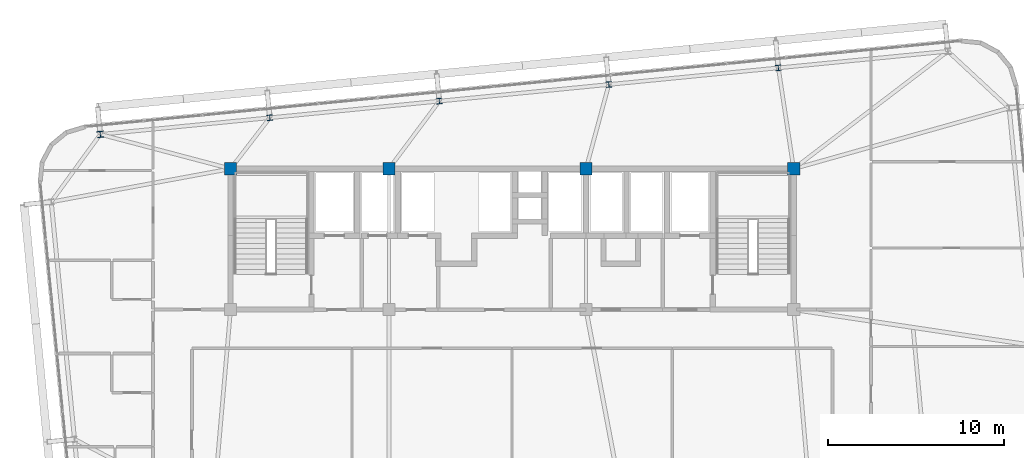
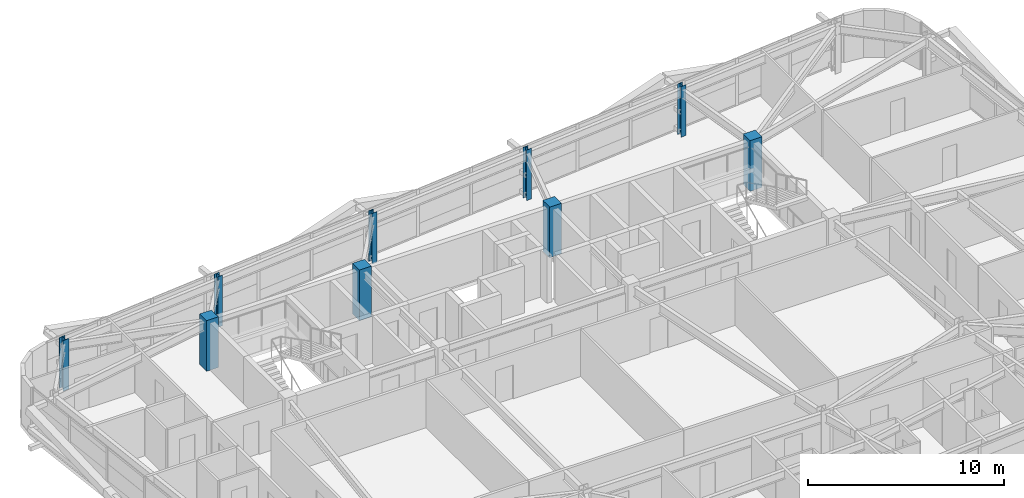
# One storey, part 3 of 53: 9 columns.
"""IFC4 building model written with IfcOpenShell, lengths in metres."""

from ifc_helpers import new_model, si_unit, direction, frame, origin, origin_2d, place, context, subcontext, project, spatial, rectangle, i_section, extrude, source, transform, mapped, material, material_profile, profile_set, type_object, element, save


model = new_model("IFC4")

# Units and contexts
model_context = context("Model", 3, precision=1e-05, world=origin(), true_north=direction((0.0, 1.0)))
body_context = subcontext(model_context, "Body", "Model", "MODEL_VIEW")
ifc_project = project(units=[si_unit("LENGTHUNIT", "METRE"), si_unit("AREAUNIT", "SQUARE_METRE"), si_unit("VOLUMEUNIT", "CUBIC_METRE"), si_unit("PLANEANGLEUNIT", "RADIAN"), si_unit("MASSUNIT", "GRAM", prefix="KILO")], contexts=[model_context])

# Site, building, storey
site_placement = place(None, origin())
site = spatial("IfcSite", under=ifc_project, at=site_placement, CompositionType="ELEMENT")
building_placement = place(site_placement, origin())
building = spatial("IfcBuilding", under=site, at=building_placement, Name="Taldren Reach Tower", CompositionType="ELEMENT")
storey_placement = place(building_placement, frame((0.0, 0.0, 71.39990234375)))
storey = spatial("IfcBuildingStorey", under=building, at=storey_placement, Name="L21", CompositionType="ELEMENT", Elevation=71.39990234375)

# Columns
ifc_material_1 = material(Name="Concrete S65 (65 MPa)", Category="concrete")
ifc_material_profile_1 = material_profile(ifc_material_1, rectangle(XDim=0.699951171875, YDim=0.699951171875, at=origin_2d()), Name="RC-700x700")
ifc_profile_set_1 = profile_set([ifc_material_profile_1], Name="Concrete S65 (65 MPa)")
column_type_1 = type_object("IfcColumnType", Name="COL-RC700", PredefinedType="COLUMN", material=ifc_profile_set_1)
shared_shape_1 = source(origin(), body_context, "Body", "SweptSolid", [
    extrude(rectangle(XDim=0.699951171875, YDim=0.699951171875, at=origin_2d()), origin(), (0.0, 0.0, 1.0), 3.150146484375),
])
for number, where, z_axis, x_axis, name in (
    (1, (19.0, 32.0, 0.0), (0.0, 0.0, 1.0), (1.0, 0.0, 0.0), "Mega column MC-C5 L21"),
    (2, (28.0, 32.0, 0.0), (0.0, 0.0, 1.0), (1.0, 0.0, 0.0), "Mega column MC-C6 L21"),
    (3, (39.199951171875, 32.0, 0.0), (0.0, 0.0, 1.0), (1.0, 0.0, 0.0), "Mega column MC-C7 L21"),
    (4, (51.0, 32.0, 0.0), (0.0, 0.0, 1.0), (1.0, 0.0, 0.0), "Mega column MC-C8 L21"),
):
    element("IfcColumn", number, at=place(storey_placement, frame(where, z_axis=z_axis, x_axis=x_axis)), inside=storey, type_object=column_type_1, Name=name, PredefinedType="COLUMN", context=body_context, shape_type="MappedRepresentation", body=[
        mapped(shared_shape_1, transform((0.0, 0.0, 0.0), scale=1.0)),
    ])
ifc_material_2 = material(Name="Steel Gr 350 (350PLUS)", Category="steel")
ifc_material_profile_2 = material_profile(ifc_material_2, i_section(OverallWidth=0.35009765625, OverallDepth=0.35595703125, WebThickness=0.01806640625, FlangeThickness=0.028076171875, at=origin_2d()), Name="350WC197")
ifc_profile_set_2 = profile_set([ifc_material_profile_2], Name="Steel Gr 350 (350PLUS)")
column_type_2 = type_object("IfcColumnType", Name="COL-WC350", PredefinedType="COLUMN", material=ifc_profile_set_2)
shared_shape_2 = source(origin(), body_context, "Body", "SweptSolid", [
    extrude(i_section(OverallWidth=0.35009765625, OverallDepth=0.35595703125, WebThickness=0.01806640625, FlangeThickness=0.028076171875, at=origin_2d()), origin(), (0.0, 0.0, 1.0), 3.150146484375),
])
column_placement = place(storey_placement, frame((11.596923828125, 33.956787109375, 0.0), z_axis=(0.0, 0.0, 1.0), x_axis=(0.995227399982, 0.097582899759, 0.0)))
element("IfcColumn", 5, at=column_placement, inside=storey, type_object=column_type_2, Name="Block B2 perimeter column N1 L21", PredefinedType="COLUMN", context=body_context, shape_type="MappedRepresentation", body=[
    mapped(shared_shape_2, transform((0.0, 0.0, 0.0), scale=1.0)),
])
ifc_material_profile_3 = material_profile(ifc_material_2, i_section(OverallWidth=0.306884765625, OverallDepth=0.31494140625, WebThickness=0.011962890625, FlangeThickness=0.018798828125, at=origin_2d()), Name="310UC118")
ifc_profile_set_3 = profile_set([ifc_material_profile_3], Name="Steel Gr 350 (350PLUS)")
column_type_3 = type_object("IfcColumnType", Name="COL-UC310B", PredefinedType="COLUMN", material=ifc_profile_set_3)
shared_shape_3 = source(origin(), body_context, "Body", "SweptSolid", [
    extrude(i_section(OverallWidth=0.306884765625, OverallDepth=0.31494140625, WebThickness=0.011962890625, FlangeThickness=0.018798828125, at=origin_2d()), origin(), (0.0, 0.0, 1.0), 3.150146484375),
])
for number, where, z_axis, x_axis, name in (
    (6, (21.230712890625, 34.9013671875, 0.0), (0.0, 0.0, 1.0), (0.995227399982, 0.097582899759, 0.0), "Block B2 perimeter column N2 L21"),
    (7, (30.864501953125, 35.84619140625, 0.0), (0.0, 0.0, 1.0), (0.995227399982, 0.097582899759, 0.0), "Block B2 perimeter column N3 L21"),
    (8, (40.498291015625, 36.790771484375, 0.0), (0.0, 0.0, 1.0), (0.995227399982, 0.097582899759, 0.0), "Block B2 perimeter column N4 L21"),
    (9, (50.132080078125, 37.7353515625, 0.0), (0.0, 0.0, 1.0), (0.995227399982, 0.097582899759, 0.0), "Block B2 perimeter column N5 L21"),
):
    element("IfcColumn", number, at=place(storey_placement, frame(where, z_axis=z_axis, x_axis=x_axis)), inside=storey, type_object=column_type_3, Name=name, PredefinedType="COLUMN", context=body_context, shape_type="MappedRepresentation", body=[
        mapped(shared_shape_3, transform((0.0, 0.0, 0.0), scale=1.0)),
    ])

save(model, "model.ifc")
